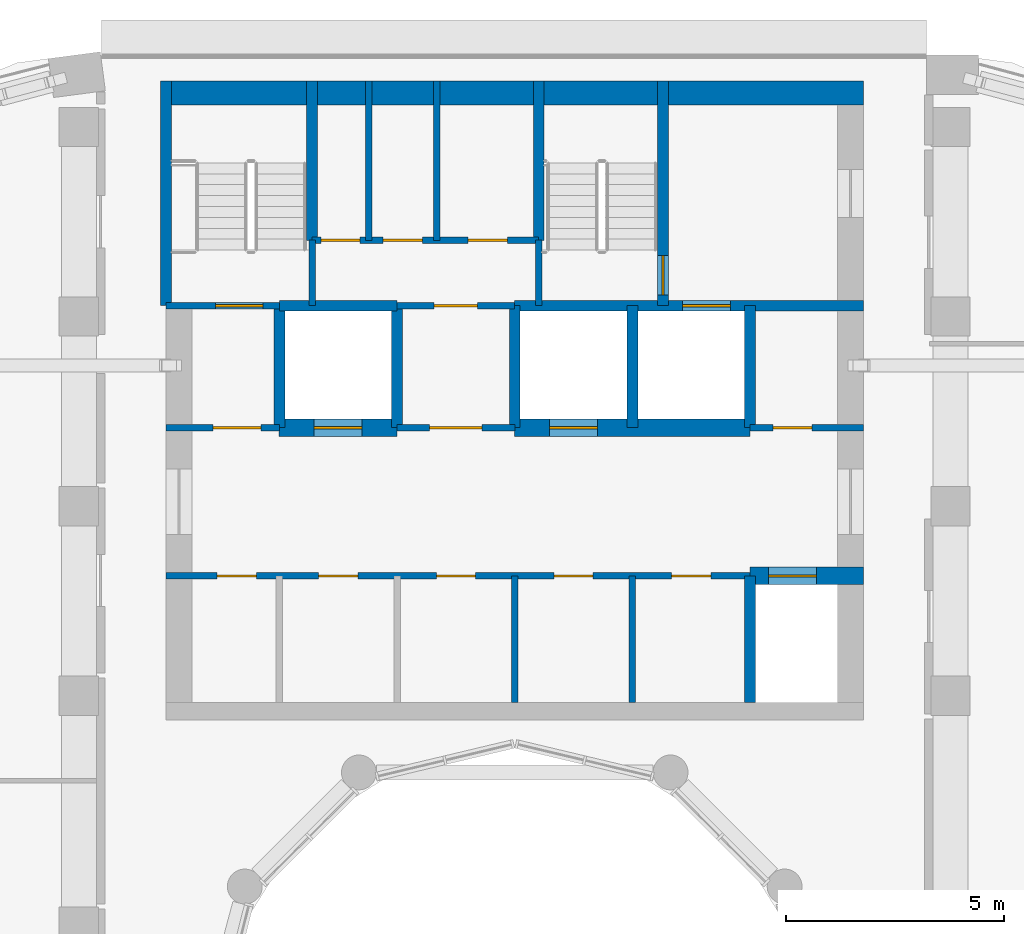
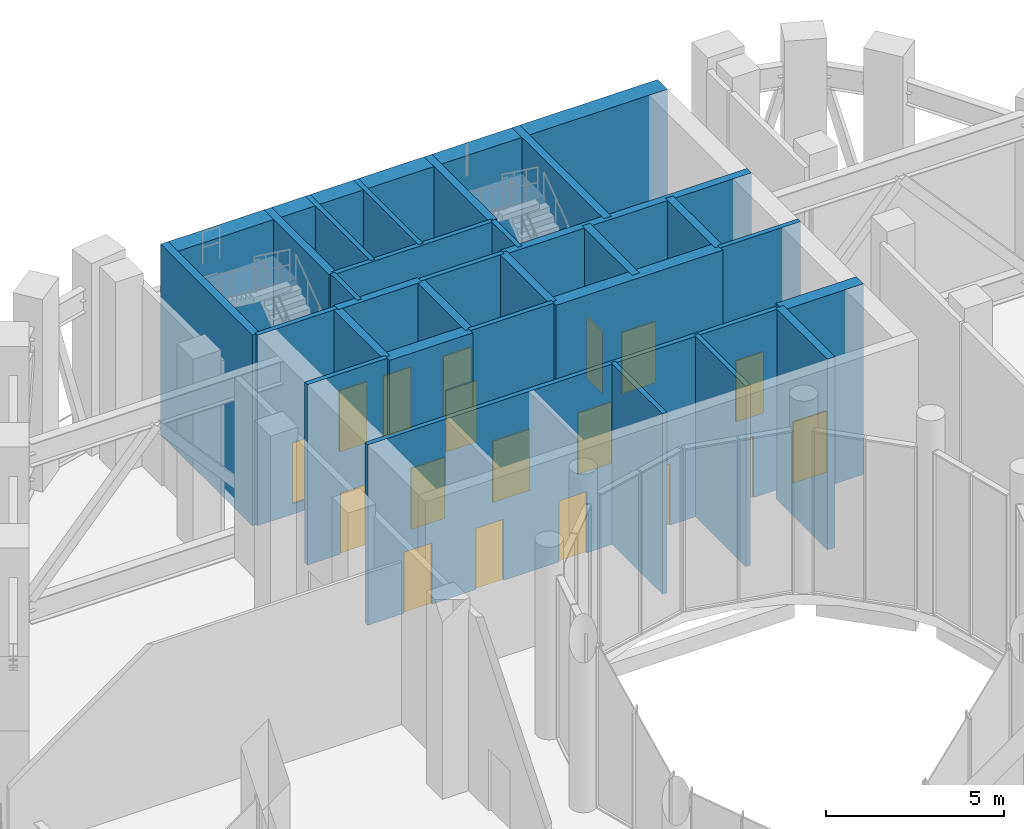
# One storey, part 10 of 19: 29 walls, 18 doors, 18 openings.
"""IFC4 building model written with IfcOpenShell, lengths in metres."""

from ifc_helpers import new_model, si_unit, direction, frame, frame_2d, origin, place, context, subcontext, project, spatial, rectangle, extrude, material, layer, layer_set, type_object, element, fill, save


model = new_model("IFC4")

# Units and contexts
model_context = context("Model", 3, precision=1e-05, world=origin(), true_north=direction((0.0, 1.0)))
body_context = subcontext(model_context, "Body", "Model", "MODEL_VIEW")
ifc_project = project(units=[si_unit("LENGTHUNIT", "METRE"), si_unit("AREAUNIT", "SQUARE_METRE"), si_unit("VOLUMEUNIT", "CUBIC_METRE"), si_unit("PLANEANGLEUNIT", "RADIAN"), si_unit("MASSUNIT", "GRAM", prefix="KILO")], contexts=[model_context])

# Site, building, storey
site_placement = place(None, origin())
site = spatial("IfcSite", under=ifc_project, at=site_placement, CompositionType="ELEMENT")
building_placement = place(site_placement, origin())
building = spatial("IfcBuilding", under=site, at=building_placement, Name="Nakaniwa Court", CompositionType="ELEMENT")
storey_placement = place(building_placement, frame((0.0, 0.0, 219.60009765625)))
storey = spatial("IfcBuildingStorey", under=building, at=storey_placement, Name="S4", CompositionType="ELEMENT", Elevation=219.60009765625)

# Wall, openings, doors
ifc_material_1 = material(Name="Blockwork partition", Category="masonry")
ifc_layer_1 = layer(ifc_material_1, 0.14990234375)
ifc_layer_set_1 = layer_set([ifc_layer_1], Name="Blockwork partition")
wall_type_1 = type_object("IfcWallType", Name="Blockwork partition 150", PredefinedType="PARTITIONING", material=ifc_layer_set_1)
wall_1_placement = place(storey_placement, frame((85.39990234375, 90.699951171875, 0.0), z_axis=(0.0, 0.0, 1.0), x_axis=(-1.0, 0.0, 0.0)))
wall_1 = element("IfcWall", 1, at=wall_1_placement, inside=storey, type_object=wall_type_1, Name="Partition PW-002", PredefinedType="PARTITIONING", context=body_context, shape_type="SweptSolid", body=[
    extrude(rectangle(XDim=13.39990234375, YDim=0.14990234375, at=frame_2d((6.699951171875, 0.0))), origin(), (0.0, 0.0, 1.0), 6.18994140625),
])
opening_1_placement = place(wall_1_placement, frame((11.324951171875, 0.0, 0.0)))
opening_1 = element("IfcOpeningElement", 2, at=opening_1_placement, cuts=wall_1, Name="Opening D-05-01", PredefinedType="OPENING", context=body_context, shape_type="SweptSolid", body=[
    extrude(rectangle(XDim=0.89990234375, YDim=2.10009765625, at=frame_2d((0.449951171875, 1.050048828125))), frame((0.0, 0.0849609375, 0.0), z_axis=(0.0, -1.0, 0.0), x_axis=(1.0, 0.0, 0.0)), (0.0, 0.0, 1.0), 0.169921875),
])
opening_2_placement = place(wall_1_placement, frame((9.0, 0.0, 0.0)))
opening_2 = element("IfcOpeningElement", 3, at=opening_2_placement, cuts=wall_1, Name="Opening D-05-02", PredefinedType="OPENING", context=body_context, shape_type="SweptSolid", body=[
    extrude(rectangle(XDim=0.89990234375, YDim=2.10009765625, at=frame_2d((0.449951171875, 1.050048828125))), frame((0.0, 0.0849609375, 0.0), z_axis=(0.0, -1.0, 0.0), x_axis=(1.0, 0.0, 0.0)), (0.0, 0.0, 1.0), 0.169921875),
])
opening_3_placement = place(wall_1_placement, frame((6.300048828125, 0.0, 0.0)))
opening_3 = element("IfcOpeningElement", 4, at=opening_3_placement, cuts=wall_1, Name="Opening D-05-03", PredefinedType="OPENING", context=body_context, shape_type="SweptSolid", body=[
    extrude(rectangle(XDim=0.89990234375, YDim=2.10009765625, at=frame_2d((0.449951171875, 1.050048828125))), frame((0.0, 0.0849609375, 0.0), z_axis=(0.0, -1.0, 0.0), x_axis=(1.0, 0.0, 0.0)), (0.0, 0.0, 1.0), 0.169921875),
])
opening_4_placement = place(wall_1_placement, frame((3.60009765625, 0.0, 0.0)))
opening_4 = element("IfcOpeningElement", 5, at=opening_4_placement, cuts=wall_1, Name="Opening D-05-04", PredefinedType="OPENING", context=body_context, shape_type="SweptSolid", body=[
    extrude(rectangle(XDim=0.89990234375, YDim=2.10009765625, at=frame_2d((0.449951171875, 1.050048828125))), frame((0.0, 0.0849609375, 0.0), z_axis=(0.0, -1.0, 0.0), x_axis=(1.0, 0.0, 0.0)), (0.0, 0.0, 1.0), 0.169921875),
])
opening_5_placement = place(wall_1_placement, frame((0.89990234375, 0.0, 0.0)))
opening_5 = element("IfcOpeningElement", 6, at=opening_5_placement, cuts=wall_1, Name="Opening D-05-05", PredefinedType="OPENING", context=body_context, shape_type="SweptSolid", body=[
    extrude(rectangle(XDim=0.89990234375, YDim=2.10009765625, at=frame_2d((0.449951171875, 1.050048828125))), frame((0.0, 0.0849609375, 0.0), z_axis=(0.0, -1.0, 0.0), x_axis=(1.0, 0.0, 0.0)), (0.0, 0.0, 1.0), 0.169921875),
])
ifc_material_2 = material(Name="Fire rated steel door set", Category="steel")
door_type_1 = type_object("IfcDoorType", Name="Service room door 900", OperationType="NOTDEFINED", PredefinedType="DOOR", material=ifc_material_2)
door_1_placement = place(opening_1_placement, origin())
door_1 = element("IfcDoor", 7, at=door_1_placement, inside=storey, type_object=door_type_1, Name="Door D-05-01 S4-001", OperationType="SINGLE_SWING_RIGHT", OverallHeight=2.10009765625, OverallWidth=0.89990234375, PredefinedType="DOOR", context=body_context, shape_type="SweptSolid", body=[
    extrude(rectangle(XDim=0.89990234375, YDim=2.10009765625, at=frame_2d((0.449951171875, 1.050048828125))), frame((0.0, 0.02490234375, 0.0), z_axis=(0.0, -1.0, 0.0), x_axis=(1.0, 0.0, 0.0)), (0.0, 0.0, 1.0), 0.050048828125),
])
fill(opening_1, door_1)
door_2_placement = place(opening_2_placement, origin())
door_2 = element("IfcDoor", 8, at=door_2_placement, inside=storey, type_object=door_type_1, Name="Door D-05-02 S4-002", OperationType="SINGLE_SWING_LEFT", OverallHeight=2.10009765625, OverallWidth=0.89990234375, PredefinedType="DOOR", context=body_context, shape_type="SweptSolid", body=[
    extrude(rectangle(XDim=0.89990234375, YDim=2.10009765625, at=frame_2d((0.449951171875, 1.050048828125))), frame((0.0, 0.02490234375, 0.0), z_axis=(0.0, -1.0, 0.0), x_axis=(1.0, 0.0, 0.0)), (0.0, 0.0, 1.0), 0.050048828125),
])
fill(opening_2, door_2)
door_3_placement = place(opening_3_placement, origin())
door_3 = element("IfcDoor", 9, at=door_3_placement, inside=storey, type_object=door_type_1, Name="Door D-05-03 S4-003", OperationType="SINGLE_SWING_RIGHT", OverallHeight=2.10009765625, OverallWidth=0.89990234375, PredefinedType="DOOR", context=body_context, shape_type="SweptSolid", body=[
    extrude(rectangle(XDim=0.89990234375, YDim=2.10009765625, at=frame_2d((0.449951171875, 1.050048828125))), frame((0.0, 0.02490234375, 0.0), z_axis=(0.0, -1.0, 0.0), x_axis=(1.0, 0.0, 0.0)), (0.0, 0.0, 1.0), 0.050048828125),
])
fill(opening_3, door_3)
door_4_placement = place(opening_4_placement, origin())
door_4 = element("IfcDoor", 10, at=door_4_placement, inside=storey, type_object=door_type_1, Name="Door D-05-04 S4-004", OperationType="SINGLE_SWING_LEFT", OverallHeight=2.10009765625, OverallWidth=0.89990234375, PredefinedType="DOOR", context=body_context, shape_type="SweptSolid", body=[
    extrude(rectangle(XDim=0.89990234375, YDim=2.10009765625, at=frame_2d((0.449951171875, 1.050048828125))), frame((0.0, 0.02490234375, 0.0), z_axis=(0.0, -1.0, 0.0), x_axis=(1.0, 0.0, 0.0)), (0.0, 0.0, 1.0), 0.050048828125),
])
fill(opening_4, door_4)
door_5_placement = place(opening_5_placement, origin())
door_5 = element("IfcDoor", 11, at=door_5_placement, inside=storey, type_object=door_type_1, Name="Door D-05-05 S4-005", OperationType="SINGLE_SWING_RIGHT", OverallHeight=2.10009765625, OverallWidth=0.89990234375, PredefinedType="DOOR", context=body_context, shape_type="SweptSolid", body=[
    extrude(rectangle(XDim=0.89990234375, YDim=2.10009765625, at=frame_2d((0.449951171875, 1.050048828125))), frame((0.0, 0.02490234375, 0.0), z_axis=(0.0, -1.0, 0.0), x_axis=(1.0, 0.0, 0.0)), (0.0, 0.0, 1.0), 0.050048828125),
])
fill(opening_5, door_5)

# Walls
for number, where, z_axis, x_axis, name in (
    (12, (80.0, 87.800048828125, 0.0), (0.0, 0.0, 1.0), (0.0, 1.0, 0.0), "Partition PW-009"),
    (13, (82.699951171875, 87.800048828125, 0.0), (0.0, 0.0, 1.0), (0.0, 1.0, 0.0), "Partition PW-010"),
):
    element("IfcWall", number, at=place(storey_placement, frame(where, z_axis=z_axis, x_axis=x_axis)), inside=storey, type_object=wall_type_1, Name=name, PredefinedType="PARTITIONING", context=body_context, shape_type="SweptSolid", body=[
        extrude(rectangle(XDim=2.89990234375, YDim=0.14990234375, at=frame_2d((1.449951171875, 0.0))), origin(), (0.0, 0.0, 1.0), 6.18994140625),
    ])

# Wall, opening, door
wall_2_placement = place(storey_placement, frame((72.0, 94.10009765625, 0.0), z_axis=(0.0, 0.0, 1.0), x_axis=(1.0, 0.0, 0.0)))
wall_2 = element("IfcWall", 14, at=wall_2_placement, inside=storey, type_object=wall_type_1, Name="Partition PW-011", PredefinedType="PARTITIONING", context=body_context, shape_type="SweptSolid", body=[
    extrude(rectangle(XDim=2.60302734375, YDim=0.14990234375, at=frame_2d((1.301513671875, 0.0))), origin(), (0.0, 0.0, 1.0), 6.18994140625),
])
opening_6_placement = place(wall_2_placement, frame((1.074951171875, 0.0, 0.0)))
opening_6 = element("IfcOpeningElement", 15, at=opening_6_placement, cuts=wall_2, Name="Opening D-08-01", PredefinedType="OPENING", context=body_context, shape_type="SweptSolid", body=[
    extrude(rectangle(XDim=1.10009765625, YDim=2.10009765625, at=frame_2d((0.550048828125, 1.050048828125))), frame((0.0, 0.0849609375, 0.0), z_axis=(0.0, -1.0, 0.0), x_axis=(1.0, 0.0, 0.0)), (0.0, 0.0, 1.0), 0.169921875),
])
door_type_2 = type_object("IfcDoorType", Name="Stair lobby door 1100", OperationType="NOTDEFINED", PredefinedType="DOOR", material=ifc_material_2)
door_6_placement = place(opening_6_placement, origin())
door_6 = element("IfcDoor", 16, at=door_6_placement, inside=storey, type_object=door_type_2, Name="Door D-08-01 S4-006", OperationType="SINGLE_SWING_LEFT", OverallHeight=2.10009765625, OverallWidth=1.10009765625, PredefinedType="DOOR", context=body_context, shape_type="SweptSolid", body=[
    extrude(rectangle(XDim=1.10009765625, YDim=2.10009765625, at=frame_2d((0.550048828125, 1.050048828125))), frame((0.0, 0.02490234375, 0.0), z_axis=(0.0, -1.0, 0.0), x_axis=(1.0, 0.0, 0.0)), (0.0, 0.0, 1.0), 0.050048828125),
])
fill(opening_6, door_6)

wall_3_placement = place(storey_placement, frame((77.297119140625, 94.10009765625, 0.0), z_axis=(0.0, 0.0, 1.0), x_axis=(1.0, 0.0, 0.0)))
wall_3 = element("IfcWall", 17, at=wall_3_placement, inside=storey, type_object=wall_type_1, Name="Partition PW-012", PredefinedType="PARTITIONING", context=body_context, shape_type="SweptSolid", body=[
    extrude(rectangle(XDim=2.705810546875, YDim=0.14990234375, at=frame_2d((1.35302734375, 0.0))), origin(), (0.0, 0.0, 1.0), 6.18994140625),
])
opening_7_placement = place(wall_3_placement, frame((0.7529296875, 0.0, 0.0)))
opening_7 = element("IfcOpeningElement", 18, at=opening_7_placement, cuts=wall_3, Name="Opening D-06-01", PredefinedType="OPENING", context=body_context, shape_type="SweptSolid", body=[
    extrude(rectangle(XDim=1.199951171875, YDim=2.10009765625, at=frame_2d((0.60009765625, 1.050048828125))), frame((0.0, 0.0849609375, 0.0), z_axis=(0.0, -1.0, 0.0), x_axis=(1.0, 0.0, 0.0)), (0.0, 0.0, 1.0), 0.169921875),
])
ifc_material_3 = material(Name="Fire rated steel double door set", Category="steel")
door_type_3 = type_object("IfcDoorType", Name="Service passage double door 1200", OperationType="NOTDEFINED", PredefinedType="DOOR", material=ifc_material_3)
door_7_placement = place(opening_7_placement, origin())
door_7 = element("IfcDoor", 19, at=door_7_placement, inside=storey, type_object=door_type_3, Name="Door D-06-01 S4-007", OperationType="DOUBLE_DOOR_SINGLE_SWING", OverallHeight=2.10009765625, OverallWidth=1.199951171875, PredefinedType="DOOR", context=body_context, shape_type="SweptSolid", body=[
    extrude(rectangle(XDim=1.199951171875, YDim=2.10009765625, at=frame_2d((0.60009765625, 1.050048828125))), frame((0.0, 0.02490234375, 0.0), z_axis=(0.0, -1.0, 0.0), x_axis=(1.0, 0.0, 0.0)), (0.0, 0.0, 1.0), 0.050048828125),
])
fill(opening_7, door_7)

wall_4_placement = place(storey_placement, frame((85.39697265625, 94.10009765625, 0.0), z_axis=(0.0, 0.0, 1.0), x_axis=(1.0, 0.0, 0.0)))
wall_4 = element("IfcWall", 20, at=wall_4_placement, inside=storey, type_object=wall_type_1, Name="Partition PW-013", PredefinedType="PARTITIONING", context=body_context, shape_type="SweptSolid", body=[
    extrude(rectangle(XDim=2.60302734375, YDim=0.14990234375, at=frame_2d((1.301513671875, 0.0))), origin(), (0.0, 0.0, 1.0), 6.18994140625),
])
opening_8_placement = place(wall_4_placement, frame((0.528076171875, 0.0, 0.0)))
opening_8 = element("IfcOpeningElement", 21, at=opening_8_placement, cuts=wall_4, Name="Opening D-05-06", PredefinedType="OPENING", context=body_context, shape_type="SweptSolid", body=[
    extrude(rectangle(XDim=0.89990234375, YDim=2.10009765625, at=frame_2d((0.449951171875, 1.050048828125))), frame((0.0, 0.0849609375, 0.0), z_axis=(0.0, -1.0, 0.0), x_axis=(1.0, 0.0, 0.0)), (0.0, 0.0, 1.0), 0.169921875),
])
door_8_placement = place(opening_8_placement, origin())
door_8 = element("IfcDoor", 22, at=door_8_placement, inside=storey, type_object=door_type_1, Name="Door D-05-06 S4-008", OperationType="SINGLE_SWING_LEFT", OverallHeight=2.10009765625, OverallWidth=0.89990234375, PredefinedType="DOOR", context=body_context, shape_type="SweptSolid", body=[
    extrude(rectangle(XDim=0.89990234375, YDim=2.10009765625, at=frame_2d((0.449951171875, 1.050048828125))), frame((0.0, 0.02490234375, 0.0), z_axis=(0.0, -1.0, 0.0), x_axis=(1.0, 0.0, 0.0)), (0.0, 0.0, 1.0), 0.050048828125),
])
fill(opening_8, door_8)

wall_5_placement = place(storey_placement, frame((77.300048828125, 96.89990234375, 0.0), z_axis=(0.0, 0.0, 1.0), x_axis=(1.0, 0.0, 0.0)))
wall_5 = element("IfcWall", 23, at=wall_5_placement, inside=storey, type_object=wall_type_1, Name="Partition PW-022", PredefinedType="PARTITIONING", context=body_context, shape_type="SweptSolid", body=[
    extrude(rectangle(XDim=2.699951171875, YDim=0.14990234375, at=frame_2d((1.35009765625, 0.0))), origin(), (0.0, 0.0, 1.0), 6.18994140625),
])
opening_9_placement = place(wall_5_placement, frame((0.85009765625, 0.0, 0.0)))
opening_9 = element("IfcOpeningElement", 24, at=opening_9_placement, cuts=wall_5, Name="Opening D-23-01", PredefinedType="OPENING", context=body_context, shape_type="SweptSolid", body=[
    extrude(rectangle(XDim=1.0, YDim=2.10009765625, at=frame_2d((0.5, 1.050048828125))), frame((0.0, 0.0849609375, 0.0), z_axis=(0.0, -1.0, 0.0), x_axis=(1.0, 0.0, 0.0)), (0.0, 0.0, 1.0), 0.169921875),
])
door_type_4 = type_object("IfcDoorType", Name="Service room door 1000", OperationType="NOTDEFINED", PredefinedType="DOOR", material=ifc_material_2)
door_9_placement = place(opening_9_placement, origin())
door_9 = element("IfcDoor", 25, at=door_9_placement, inside=storey, type_object=door_type_4, Name="Door D-23-01 S4-009", OperationType="SINGLE_SWING_RIGHT", OverallHeight=2.10009765625, OverallWidth=1.0, PredefinedType="DOOR", context=body_context, shape_type="SweptSolid", body=[
    extrude(rectangle(XDim=1.0, YDim=2.10009765625, at=frame_2d((0.5, 1.050048828125))), frame((0.0, 0.02490234375, 0.0), z_axis=(0.0, -1.0, 0.0), x_axis=(1.0, 0.0, 0.0)), (0.0, 0.0, 1.0), 0.050048828125),
])
fill(opening_9, door_9)

# Wall, openings, doors
wall_6_placement = place(storey_placement, frame((75.35009765625, 98.39990234375, 0.0), z_axis=(0.0, 0.0, 1.0), x_axis=(1.0, 0.0, 0.0)))
wall_6 = element("IfcWall", 26, at=wall_6_placement, inside=storey, type_object=wall_type_1, Name="Partition PW-030", PredefinedType="PARTITIONING", context=body_context, shape_type="SweptSolid", body=[
    extrude(rectangle(XDim=5.199951171875, YDim=0.14990234375, at=frame_2d((2.60009765625, 0.0))), origin(), (0.0, 0.0, 1.0), 6.18994140625),
])
opening_10_placement = place(wall_6_placement, frame((0.199951171875, 0.0, 0.0)))
opening_10 = element("IfcOpeningElement", 27, at=opening_10_placement, cuts=wall_6, Name="Opening D-05-07", PredefinedType="OPENING", context=body_context, shape_type="SweptSolid", body=[
    extrude(rectangle(XDim=0.89990234375, YDim=2.10009765625, at=frame_2d((0.449951171875, 1.050048828125))), frame((0.0, 0.0849609375, 0.0), z_axis=(0.0, -1.0, 0.0), x_axis=(1.0, 0.0, 0.0)), (0.0, 0.0, 1.0), 0.169921875),
])
opening_11_placement = place(wall_6_placement, frame((1.6298828125, 0.0, 0.0)))
opening_11 = element("IfcOpeningElement", 28, at=opening_11_placement, cuts=wall_6, Name="Opening D-05-08", PredefinedType="OPENING", context=body_context, shape_type="SweptSolid", body=[
    extrude(rectangle(XDim=0.89990234375, YDim=2.10009765625, at=frame_2d((0.449951171875, 1.050048828125))), frame((0.0, 0.0849609375, 0.0), z_axis=(0.0, -1.0, 0.0), x_axis=(1.0, 0.0, 0.0)), (0.0, 0.0, 1.0), 0.169921875),
])
opening_12_placement = place(wall_6_placement, frame((3.580078125, 0.0, 0.0)))
opening_12 = element("IfcOpeningElement", 29, at=opening_12_placement, cuts=wall_6, Name="Opening D-05-09", PredefinedType="OPENING", context=body_context, shape_type="SweptSolid", body=[
    extrude(rectangle(XDim=0.89990234375, YDim=2.10009765625, at=frame_2d((0.449951171875, 1.050048828125))), frame((0.0, 0.0849609375, 0.0), z_axis=(0.0, -1.0, 0.0), x_axis=(1.0, 0.0, 0.0)), (0.0, 0.0, 1.0), 0.169921875),
])
door_10_placement = place(opening_10_placement, origin())
door_10 = element("IfcDoor", 30, at=door_10_placement, inside=storey, type_object=door_type_1, Name="Door D-05-07 S4-010", OperationType="SINGLE_SWING_LEFT", OverallHeight=2.10009765625, OverallWidth=0.89990234375, PredefinedType="DOOR", context=body_context, shape_type="SweptSolid", body=[
    extrude(rectangle(XDim=0.89990234375, YDim=2.10009765625, at=frame_2d((0.449951171875, 1.050048828125))), frame((0.0, 0.02490234375, 0.0), z_axis=(0.0, -1.0, 0.0), x_axis=(1.0, 0.0, 0.0)), (0.0, 0.0, 1.0), 0.050048828125),
])
fill(opening_10, door_10)
door_11_placement = place(opening_11_placement, origin())
door_11 = element("IfcDoor", 31, at=door_11_placement, inside=storey, type_object=door_type_1, Name="Door D-05-08 S4-011", OperationType="SINGLE_SWING_RIGHT", OverallHeight=2.10009765625, OverallWidth=0.89990234375, PredefinedType="DOOR", context=body_context, shape_type="SweptSolid", body=[
    extrude(rectangle(XDim=0.89990234375, YDim=2.10009765625, at=frame_2d((0.449951171875, 1.050048828125))), frame((0.0, 0.02490234375, 0.0), z_axis=(0.0, -1.0, 0.0), x_axis=(1.0, 0.0, 0.0)), (0.0, 0.0, 1.0), 0.050048828125),
])
fill(opening_11, door_11)
door_12_placement = place(opening_12_placement, origin())
door_12 = element("IfcDoor", 32, at=door_12_placement, inside=storey, type_object=door_type_1, Name="Door D-05-09 S4-012", OperationType="SINGLE_SWING_LEFT", OverallHeight=2.10009765625, OverallWidth=0.89990234375, PredefinedType="DOOR", context=body_context, shape_type="SweptSolid", body=[
    extrude(rectangle(XDim=0.89990234375, YDim=2.10009765625, at=frame_2d((0.449951171875, 1.050048828125))), frame((0.0, 0.02490234375, 0.0), z_axis=(0.0, -1.0, 0.0), x_axis=(1.0, 0.0, 0.0)), (0.0, 0.0, 1.0), 0.050048828125),
])
fill(opening_12, door_12)

# Walls
for number, where, z_axis, x_axis, name in (
    (33, (76.64990234375, 98.39990234375, 0.0), (0.0, 0.0, 1.0), (0.0, 1.0, 0.0), "Partition PW-031"),
    (34, (78.2099609375, 98.39990234375, 0.0), (0.0, 0.0, 1.0), (0.0, 1.0, 0.0), "Partition PW-032"),
):
    element("IfcWall", number, at=place(storey_placement, frame(where, z_axis=z_axis, x_axis=x_axis)), inside=storey, type_object=wall_type_1, Name=name, PredefinedType="PARTITIONING", context=body_context, shape_type="SweptSolid", body=[
        extrude(rectangle(XDim=3.650146484375, YDim=0.14990234375, at=frame_2d((1.8251953125, 0.0))), origin(), (0.0, 0.0, 1.0), 6.18994140625),
    ])

# Wall, opening, door
ifc_material_4 = material(Name="Concrete C80/100", Category="concrete")
ifc_layer_2 = layer(ifc_material_4, 0.39990234375)
ifc_layer_set_2 = layer_set([ifc_layer_2], Name="Concrete C80/100")
wall_type_2 = type_object("IfcWallType", Name="Concrete core spine wall 400 C80", PredefinedType="SHEAR", material=ifc_layer_set_2)
wall_7_placement = place(storey_placement, frame((85.39990234375, 90.699951171875, -0.35009765625), z_axis=(0.0, 0.0, 1.0), x_axis=(1.0, 0.0, 0.0)))
wall_7 = element("IfcWall", 35, at=wall_7_placement, inside=storey, type_object=wall_type_2, Name="Core wall SW-06", PredefinedType="SHEAR", context=body_context, shape_type="SweptSolid", body=[
    extrude(rectangle(XDim=2.60009765625, YDim=0.39990234375, at=frame_2d((1.300048828125, 0.0))), origin(), (0.0, 0.0, 1.0), 6.5400390625),
])
opening_13_placement = place(wall_7_placement, frame((0.425048828125, 0.0, 0.35009765625)))
opening_13 = element("IfcOpeningElement", 36, at=opening_13_placement, cuts=wall_7, Name="Opening LD01", PredefinedType="OPENING", context=body_context, shape_type="SweptSolid", body=[
    extrude(rectangle(XDim=1.10009765625, YDim=2.10009765625, at=frame_2d((0.550048828125, 1.050048828125))), frame((0.0, 0.2099609375, 0.0), z_axis=(0.0, -1.0, 0.0), x_axis=(1.0, 0.0, 0.0)), (0.0, 0.0, 1.0), 0.419921875),
])
ifc_material_5 = material(Name="Stainless steel sliding lift landing door", Category="steel")
door_type_5 = type_object("IfcDoorType", Name="Lift landing door 1100", OperationType="NOTDEFINED", PredefinedType="DOOR", material=ifc_material_5)
door_13_placement = place(opening_13_placement, origin())
door_13 = element("IfcDoor", 37, at=door_13_placement, inside=storey, type_object=door_type_5, Name="Lift landing door LD01 S4-001", OperationType="SLIDING_TO_LEFT", OverallHeight=2.10009765625, OverallWidth=1.10009765625, PredefinedType="DOOR", context=body_context, shape_type="SweptSolid", body=[
    extrude(rectangle(XDim=1.10009765625, YDim=2.10009765625, at=frame_2d((0.550048828125, 1.050048828125))), frame((0.0, 0.02490234375, 0.0), z_axis=(0.0, -1.0, 0.0), x_axis=(1.0, 0.0, 0.0)), (0.0, 0.0, 1.0), 0.050048828125),
])
fill(opening_13, door_13)

wall_8_placement = place(storey_placement, frame((74.596923828125, 94.10009765625, -0.35009765625), z_axis=(0.0, 0.0, 1.0), x_axis=(1.0, 0.0, 0.0)))
wall_8 = element("IfcWall", 38, at=wall_8_placement, inside=storey, type_object=wall_type_2, Name="Core wall SW-14", PredefinedType="SHEAR", context=body_context, shape_type="SweptSolid", body=[
    extrude(rectangle(XDim=2.7060546875, YDim=0.39990234375, at=frame_2d((1.35302734375, 0.0))), origin(), (0.0, 0.0, 1.0), 6.5400390625),
])
opening_14_placement = place(wall_8_placement, frame((0.802978515625, 0.0, 0.35009765625)))
opening_14 = element("IfcOpeningElement", 39, at=opening_14_placement, cuts=wall_8, Name="Opening LD02", PredefinedType="OPENING", context=body_context, shape_type="SweptSolid", body=[
    extrude(rectangle(XDim=1.10009765625, YDim=2.10009765625, at=frame_2d((0.550048828125, 1.050048828125))), frame((0.0, 0.2099609375, 0.0), z_axis=(0.0, -1.0, 0.0), x_axis=(1.0, 0.0, 0.0)), (0.0, 0.0, 1.0), 0.419921875),
])
door_14_placement = place(opening_14_placement, origin())
door_14 = element("IfcDoor", 40, at=door_14_placement, inside=storey, type_object=door_type_5, Name="Lift landing door LD02 S4-002", OperationType="SLIDING_TO_LEFT", OverallHeight=2.10009765625, OverallWidth=1.10009765625, PredefinedType="DOOR", context=body_context, shape_type="SweptSolid", body=[
    extrude(rectangle(XDim=1.10009765625, YDim=2.10009765625, at=frame_2d((0.550048828125, 1.050048828125))), frame((0.0, 0.02490234375, 0.0), z_axis=(0.0, -1.0, 0.0), x_axis=(1.0, 0.0, 0.0)), (0.0, 0.0, 1.0), 0.050048828125),
])
fill(opening_14, door_14)

wall_9_placement = place(storey_placement, frame((79.9970703125, 94.10009765625, -0.35009765625), z_axis=(0.0, 0.0, 1.0), x_axis=(1.0, 0.0, 0.0)))
wall_9 = element("IfcWall", 41, at=wall_9_placement, inside=storey, type_object=wall_type_2, Name="Core wall SW-15", PredefinedType="SHEAR", context=body_context, shape_type="SweptSolid", body=[
    extrude(rectangle(XDim=5.406005859375, YDim=0.39990234375, at=frame_2d((2.703125, 0.0))), origin(), (0.0, 0.0, 1.0), 6.5400390625),
])
opening_15_placement = place(wall_9_placement, frame((0.802978515625, 0.0, 0.35009765625)))
opening_15 = element("IfcOpeningElement", 42, at=opening_15_placement, cuts=wall_9, Name="Opening LD03", PredefinedType="OPENING", context=body_context, shape_type="SweptSolid", body=[
    extrude(rectangle(XDim=1.10009765625, YDim=2.10009765625, at=frame_2d((0.550048828125, 1.050048828125))), frame((0.0, 0.2099609375, 0.0), z_axis=(0.0, -1.0, 0.0), x_axis=(1.0, 0.0, 0.0)), (0.0, 0.0, 1.0), 0.419921875),
])
door_15_placement = place(opening_15_placement, origin())
door_15 = element("IfcDoor", 43, at=door_15_placement, inside=storey, type_object=door_type_5, Name="Lift landing door LD03 S4-003", OperationType="SLIDING_TO_LEFT", OverallHeight=2.10009765625, OverallWidth=1.10009765625, PredefinedType="DOOR", context=body_context, shape_type="SweptSolid", body=[
    extrude(rectangle(XDim=1.10009765625, YDim=2.10009765625, at=frame_2d((0.550048828125, 1.050048828125))), frame((0.0, 0.02490234375, 0.0), z_axis=(0.0, -1.0, 0.0), x_axis=(1.0, 0.0, 0.0)), (0.0, 0.0, 1.0), 0.050048828125),
])
fill(opening_15, door_15)

ifc_layer_3 = layer(ifc_material_4, 0.14990234375)
ifc_layer_set_3 = layer_set([ifc_layer_3], Name="Concrete C80/100")
wall_type_3 = type_object("IfcWallType", Name="Concrete core wall 150 C80", PredefinedType="SHEAR", material=ifc_layer_set_3)
wall_10_placement = place(storey_placement, frame((74.60009765625, 96.89990234375, -0.35009765625), z_axis=(0.0, 0.0, 1.0), x_axis=(-1.0, 0.0, 0.0)))
wall_10 = element("IfcWall", 44, at=wall_10_placement, inside=storey, type_object=wall_type_3, Name="Core wall SW-17", PredefinedType="SHEAR", context=body_context, shape_type="SweptSolid", body=[
    extrude(rectangle(XDim=2.60009765625, YDim=0.14990234375, at=frame_2d((1.300048828125, 0.0))), origin(), (0.0, 0.0, 1.0), 6.5400390625),
])
opening_16_placement = place(wall_10_placement, frame((0.3701171875, 0.0, 0.35009765625)))
opening_16 = element("IfcOpeningElement", 45, at=opening_16_placement, cuts=wall_10, Name="Opening D-09-01", PredefinedType="OPENING", context=body_context, shape_type="SweptSolid", body=[
    extrude(rectangle(XDim=1.10009765625, YDim=2.10009765625, at=frame_2d((0.550048828125, 1.050048828125))), frame((0.0, 0.0849609375, 0.0), z_axis=(0.0, -1.0, 0.0), x_axis=(1.0, 0.0, 0.0)), (0.0, 0.0, 1.0), 0.169921875),
])
door_type_6 = type_object("IfcDoorType", Name="Stair door 1100", OperationType="NOTDEFINED", PredefinedType="DOOR", material=ifc_material_2)
door_16_placement = place(opening_16_placement, origin())
door_16 = element("IfcDoor", 46, at=door_16_placement, inside=storey, type_object=door_type_6, Name="Door D-09-01 S4-013", OperationType="SINGLE_SWING_LEFT", OverallHeight=2.10009765625, OverallWidth=1.10009765625, PredefinedType="DOOR", context=body_context, shape_type="SweptSolid", body=[
    extrude(rectangle(XDim=1.10009765625, YDim=2.10009765625, at=frame_2d((0.550048828125, 1.050048828125))), frame((0.0, 0.02490234375, 0.0), z_axis=(0.0, -1.0, 0.0), x_axis=(1.0, 0.0, 0.0)), (0.0, 0.0, 1.0), 0.050048828125),
])
fill(opening_16, door_16)

# Walls
for number, where, z_axis, x_axis, name in (
    (47, (75.35009765625, 96.89990234375, -0.35009765625), (0.0, 0.0, 1.0), (0.0, 1.0, 0.0), "Core wall SW-24"),
    (48, (80.550048828125, 96.89990234375, -0.35009765625), (0.0, 0.0, 1.0), (0.0, 1.0, 0.0), "Core wall SW-28"),
):
    element("IfcWall", number, at=place(storey_placement, frame(where, z_axis=z_axis, x_axis=x_axis)), inside=storey, type_object=wall_type_3, Name=name, PredefinedType="SHEAR", context=body_context, shape_type="SweptSolid", body=[
        extrude(rectangle(XDim=1.503173828125, YDim=0.14990234375, at=frame_2d((0.75146484375, 0.0))), origin(), (0.0, 0.0, 1.0), 6.5400390625),
    ])
ifc_layer_4 = layer(ifc_material_4, 0.25)
ifc_layer_set_4 = layer_set([ifc_layer_4], Name="Concrete C80/100")
wall_type_4 = type_object("IfcWallType", Name="Concrete core wall 250 C80", PredefinedType="SHEAR", material=ifc_layer_set_4)
wall_11_placement = place(storey_placement, frame((72.0, 96.89990234375, -0.35009765625), z_axis=(0.0, 0.0, 1.0), x_axis=(0.0, 1.0, 0.0)))
element("IfcWall", 49, at=wall_11_placement, inside=storey, type_object=wall_type_4, Name="Core wall SW-26", PredefinedType="SHEAR", context=body_context, shape_type="SweptSolid", body=[
    extrude(rectangle(XDim=5.150146484375, YDim=0.25, at=frame_2d((2.5751953125, 0.0))), origin(), (0.0, 0.0, 1.0), 6.5400390625),
])
ifc_layer_5 = layer(ifc_material_4, 0.550048828125)
ifc_layer_set_5 = layer_set([ifc_layer_5], Name="Concrete C80/100")
wall_type_5 = type_object("IfcWallType", Name="Concrete core wall 550 C80", PredefinedType="SHEAR", material=ifc_layer_set_5)
wall_12_placement = place(storey_placement, frame((72.00390625, 101.77490234375, -0.35009765625), z_axis=(0.0, 0.0, 1.0), x_axis=(1.0, 0.0, 0.0)))
element("IfcWall", 50, at=wall_12_placement, inside=storey, type_object=wall_type_5, Name="Core wall SW-89", PredefinedType="SHEAR", context=body_context, shape_type="SweptSolid", body=[
    extrude(rectangle(XDim=15.9921875, YDim=0.550048828125, at=frame_2d((7.99609375, 0.0))), origin(), (0.0, 0.0, 1.0), 6.5400390625),
])
ifc_layer_6 = layer(ifc_material_4, 0.25)
ifc_layer_set_6 = layer_set([ifc_layer_6], Name="Concrete C80/100")
wall_type_6 = type_object("IfcWallType", Name="Concrete shaft wall 250 C80", PredefinedType="SHEAR", material=ifc_layer_set_6)
wall_13_placement = place(storey_placement, frame((85.39990234375, 87.800048828125, -0.35009765625), z_axis=(0.0, 0.0, 1.0), x_axis=(0.0, 1.0, 0.0)))
element("IfcWall", 51, at=wall_13_placement, inside=storey, type_object=wall_type_6, Name="Core wall SW-04", PredefinedType="SHEAR", context=body_context, shape_type="SweptSolid", body=[
    extrude(rectangle(XDim=2.89990234375, YDim=0.25, at=frame_2d((1.449951171875, 0.0))), origin(), (0.0, 0.0, 1.0), 6.5400390625),
])
for number, where, z_axis, x_axis, name in (
    (52, (85.39990234375, 94.10009765625, -0.35009765625), (0.0, 0.0, 1.0), (0.0, 1.0, 0.0), "Core wall SW-05"),
    (53, (74.60009765625, 94.10009765625, -0.35009765625), (0.0, 0.0, 1.0), (0.0, 1.0, 0.0), "Core wall SW-16"),
    (54, (77.300048828125, 94.10009765625, -0.35009765625), (0.0, 0.0, 1.0), (0.0, 1.0, 0.0), "Core wall SW-18"),
):
    element("IfcWall", number, at=place(storey_placement, frame(where, z_axis=z_axis, x_axis=x_axis)), inside=storey, type_object=wall_type_6, Name=name, PredefinedType="SHEAR", context=body_context, shape_type="SweptSolid", body=[
        extrude(rectangle(XDim=2.7998046875, YDim=0.25, at=frame_2d((1.39990234375, 0.0))), origin(), (0.0, 0.0, 1.0), 6.5400390625),
    ])
wall_14_placement = place(storey_placement, frame((74.60009765625, 96.89990234375, -0.35009765625), z_axis=(0.0, 0.0, 1.0), x_axis=(1.0, 0.0, 0.0)))
element("IfcWall", 55, at=wall_14_placement, inside=storey, type_object=wall_type_6, Name="Core wall SW-19", PredefinedType="SHEAR", context=body_context, shape_type="SweptSolid", body=[
    extrude(rectangle(XDim=2.699951171875, YDim=0.25, at=frame_2d((1.35009765625, 0.0))), origin(), (0.0, 0.0, 1.0), 6.5400390625),
])

# Wall, opening, door
wall_15_placement = place(storey_placement, frame((80.0, 96.89990234375, -0.35009765625), z_axis=(0.0, 0.0, 1.0), x_axis=(1.0, 0.0, 0.0)))
wall_15 = element("IfcWall", 56, at=wall_15_placement, inside=storey, type_object=wall_type_6, Name="Core wall SW-20", PredefinedType="SHEAR", context=body_context, shape_type="SweptSolid", body=[
    extrude(rectangle(XDim=8.0, YDim=0.25, at=frame_2d((4.0, 0.0))), origin(), (0.0, 0.0, 1.0), 6.5400390625),
])
opening_17_placement = place(wall_15_placement, frame((3.84912109375, 0.0, 0.35009765625)))
opening_17 = element("IfcOpeningElement", 57, at=opening_17_placement, cuts=wall_15, Name="Opening LD04", PredefinedType="OPENING", context=body_context, shape_type="SweptSolid", body=[
    extrude(rectangle(XDim=1.10009765625, YDim=2.10009765625, at=frame_2d((0.550048828125, 1.050048828125))), frame((0.0, 0.135009765625, 0.0), z_axis=(0.0, -1.0, 0.0), x_axis=(1.0, 0.0, 0.0)), (0.0, 0.0, 1.0), 0.27001953125),
])
door_17_placement = place(opening_17_placement, origin())
door_17 = element("IfcDoor", 58, at=door_17_placement, inside=storey, type_object=door_type_5, Name="Lift landing door LD04 S4-004", OperationType="SLIDING_TO_LEFT", OverallHeight=2.10009765625, OverallWidth=1.10009765625, PredefinedType="DOOR", context=body_context, shape_type="SweptSolid", body=[
    extrude(rectangle(XDim=1.10009765625, YDim=2.10009765625, at=frame_2d((0.550048828125, 1.050048828125))), frame((0.0, 0.02490234375, 0.0), z_axis=(0.0, -1.0, 0.0), x_axis=(1.0, 0.0, 0.0)), (0.0, 0.0, 1.0), 0.050048828125),
])
fill(opening_17, door_17)

# Walls
for number, where, z_axis, x_axis, name in (
    (59, (80.0, 94.10009765625, -0.35009765625), (0.0, 0.0, 1.0), (0.0, 1.0, 0.0), "Core wall SW-21"),
    (60, (82.699951171875, 94.10009765625, -0.35009765625), (0.0, 0.0, 1.0), (0.0, 1.0, 0.0), "Core wall SW-23"),
):
    element("IfcWall", number, at=place(storey_placement, frame(where, z_axis=z_axis, x_axis=x_axis)), inside=storey, type_object=wall_type_6, Name=name, PredefinedType="SHEAR", context=body_context, shape_type="SweptSolid", body=[
        extrude(rectangle(XDim=2.7998046875, YDim=0.25, at=frame_2d((1.39990234375, 0.0))), origin(), (0.0, 0.0, 1.0), 6.5400390625),
    ])
wall_16_placement = place(storey_placement, frame((75.35009765625, 98.39697265625, -0.35009765625), z_axis=(0.0, 0.0, 1.0), x_axis=(0.0, 1.0, 0.0)))
element("IfcWall", 61, at=wall_16_placement, inside=storey, type_object=wall_type_6, Name="Core wall SW-25", PredefinedType="SHEAR", context=body_context, shape_type="SweptSolid", body=[
    extrude(rectangle(XDim=3.653076171875, YDim=0.25, at=frame_2d((1.82666015625, 0.0))), origin(), (0.0, 0.0, 1.0), 6.5400390625),
])

# Wall, opening, door
wall_17_placement = place(storey_placement, frame((83.39990234375, 102.050048828125, -0.35009765625), z_axis=(0.0, 0.0, 1.0), x_axis=(0.0, -1.0, 0.0)))
wall_17 = element("IfcWall", 62, at=wall_17_placement, inside=storey, type_object=wall_type_6, Name="Core wall SW-27", PredefinedType="SHEAR", context=body_context, shape_type="SweptSolid", body=[
    extrude(rectangle(XDim=5.150146484375, YDim=0.25, at=frame_2d((2.5751953125, 0.0))), origin(), (0.0, 0.0, 1.0), 6.5400390625),
])
opening_18_placement = place(wall_17_placement, frame((4.0, 0.0, 0.35009765625)))
opening_18 = element("IfcOpeningElement", 63, at=opening_18_placement, cuts=wall_17, Name="Opening D-11-01", PredefinedType="OPENING", context=body_context, shape_type="SweptSolid", body=[
    extrude(rectangle(XDim=0.89990234375, YDim=2.10009765625, at=frame_2d((0.449951171875, 1.050048828125))), frame((0.0, 0.135009765625, 0.0), z_axis=(0.0, -1.0, 0.0), x_axis=(1.0, 0.0, 0.0)), (0.0, 0.0, 1.0), 0.27001953125),
])
door_type_7 = type_object("IfcDoorType", Name="Stair door 900", OperationType="NOTDEFINED", PredefinedType="DOOR", material=ifc_material_2)
door_18_placement = place(opening_18_placement, origin())
door_18 = element("IfcDoor", 64, at=door_18_placement, inside=storey, type_object=door_type_7, Name="Door D-11-01 S4-014", OperationType="SINGLE_SWING_RIGHT", OverallHeight=2.10009765625, OverallWidth=0.89990234375, PredefinedType="DOOR", context=body_context, shape_type="SweptSolid", body=[
    extrude(rectangle(XDim=0.89990234375, YDim=2.10009765625, at=frame_2d((0.449951171875, 1.050048828125))), frame((0.0, 0.02490234375, 0.0), z_axis=(0.0, -1.0, 0.0), x_axis=(1.0, 0.0, 0.0)), (0.0, 0.0, 1.0), 0.050048828125),
])
fill(opening_18, door_18)

# Wall
wall_18_placement = place(storey_placement, frame((80.550048828125, 98.39697265625, -0.35009765625), z_axis=(0.0, 0.0, 1.0), x_axis=(0.0, 1.0, 0.0)))
element("IfcWall", 65, at=wall_18_placement, inside=storey, type_object=wall_type_6, Name="Core wall SW-29", PredefinedType="SHEAR", context=body_context, shape_type="SweptSolid", body=[
    extrude(rectangle(XDim=3.653076171875, YDim=0.25, at=frame_2d((1.82666015625, 0.0))), origin(), (0.0, 0.0, 1.0), 6.5400390625),
])

save(model, "model.ifc")
